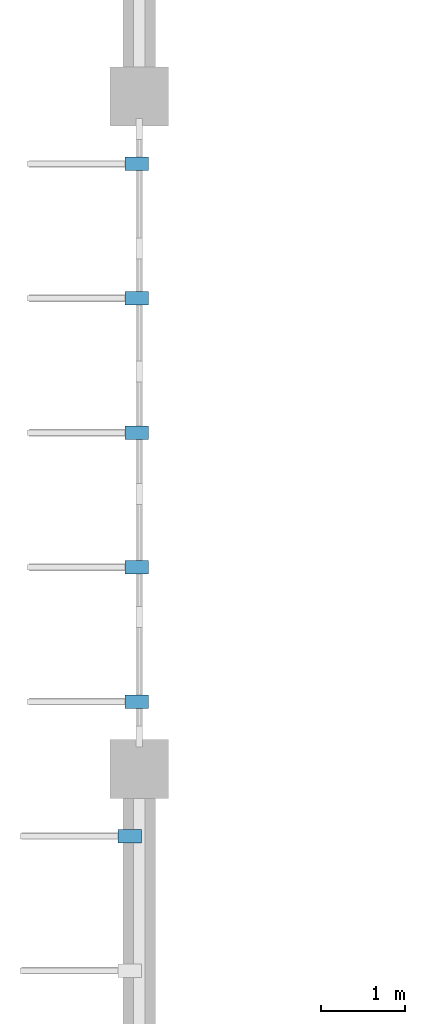
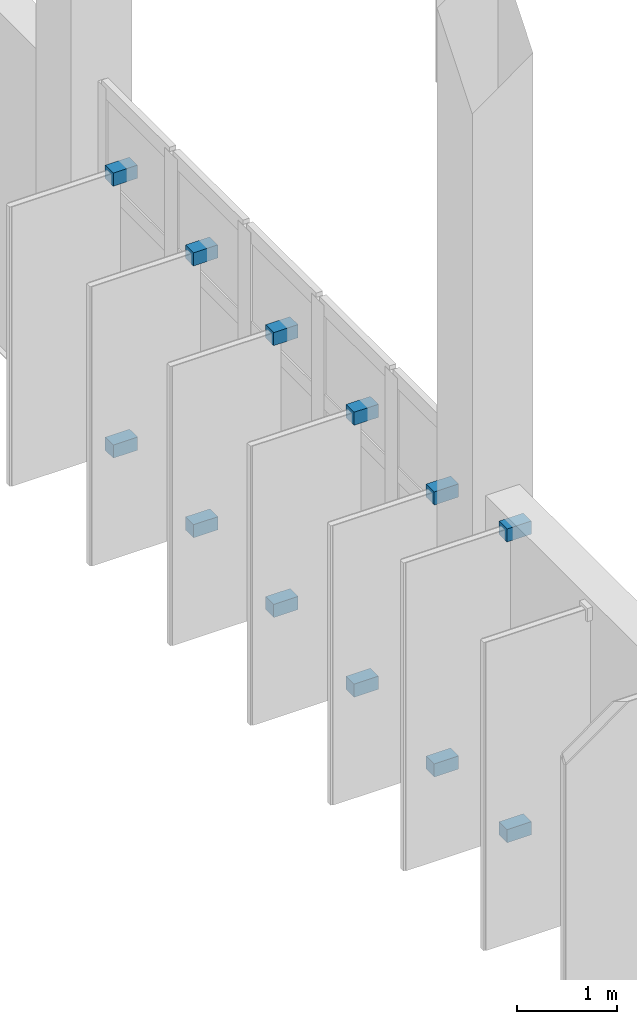
# One storey, part 56 of 66: 12 discrete accessories.
"""IFC4 building model written with IfcOpenShell, lengths in metres."""

import ifcopenshell
import ifcopenshell.guid

model = None  # the IFC model being written
_history = None  # IfcOwnerHistory: only IFC2X3 demands one
_inside = {}  # id of a spatial element -> (the spatial element, [elements in it])
_under = {}  # id of a project, library or spatial element -> (it, [spatial elements below it])
_declared = {}  # id of a project -> (the project, [libraries it declares])
_typed = {}  # id of a type object -> (the type object, [elements of that type])
_made_of = {}  # id of a material, layer set ... -> (it, [elements and type objects made of it])


def new_model(schema):
    """Start an empty IFC model of exactly this schema.

    Asked for "IFC4X3", IfcOpenShell would pick the latest addendum, in which some entities
    have other attributes; the version numbers below select the first issue.
    IFC2X3 requires an IfcOwnerHistory on every rooted entity: one is made here for all.
    """
    global model, _history
    if schema == "IFC4X3":
        model = ifcopenshell.file(schema_version=(4, 3, 0, 0))
    else:
        model = ifcopenshell.file(schema=schema)
    _inside.clear()
    _under.clear()
    _declared.clear()
    _typed.clear()
    _made_of.clear()
    _history = None
    if model.schema == "IFC2X3":
        org = make("IfcOrganization", Name="unknown")
        user = make(
            "IfcPersonAndOrganization",
            ThePerson=make("IfcPerson", FamilyName="unknown"),
            TheOrganization=org,
        )
        app = make(
            "IfcApplication",
            ApplicationDeveloper=org,
            Version="unknown",
            ApplicationFullName="unknown",
            ApplicationIdentifier="unknown",
        )
        _history = make(
            "IfcOwnerHistory",
            OwningUser=user,
            OwningApplication=app,
            ChangeAction="ADDED",
            CreationDate=0,
        )
    return model


def make(cls, **values):
    """One entity of the class cls with the attributes given. An attribute that is None is left unset."""
    return model.create_entity(
        cls, **{name: value for name, value in values.items() if value is not None}
    )


def rooted(cls, **values):
    """An entity with a GlobalId (a new one), such as an element, a storey or a relation."""
    return make(cls, GlobalId=ifcopenshell.guid.new(), OwnerHistory=_history, **values)


def si_unit(unit_type, name, prefix=None):
    """IfcSIUnit, for example si_unit("LENGTHUNIT", "METRE", prefix="MILLI")."""
    return make("IfcSIUnit", UnitType=unit_type, Prefix=prefix, Name=name)


def assignment(units):
    """IfcUnitAssignment: the units of a project."""
    return None if units is None else make("IfcUnitAssignment", Units=units)


def point(xyz):
    """IfcCartesianPoint."""
    return None if xyz is None else make("IfcCartesianPoint", Coordinates=xyz)


def direction(xyz):
    """IfcDirection."""
    return None if xyz is None else make("IfcDirection", DirectionRatios=xyz)


def frame(location, z_axis=None, x_axis=None):
    """IfcAxis2Placement3D, a coordinate frame: its origin and axes. An axis left out is left unset."""
    return make(
        "IfcAxis2Placement3D",
        Location=point(location),
        Axis=direction(z_axis),
        RefDirection=direction(x_axis),
    )


def frame_2d(location, x_axis=None):
    """IfcAxis2Placement2D, a coordinate frame in the plane: its origin and x axis."""
    return make(
        "IfcAxis2Placement2D", Location=point(location), RefDirection=direction(x_axis)
    )


def origin():
    """The frame at (0, 0, 0) with its axes left unset."""
    return frame((0.0, 0.0, 0.0))


def origin_2d():
    """The frame at (0, 0) in the plane with its x axis left unset."""
    return frame_2d((0.0, 0.0))


def place(relative_to, where):
    """IfcLocalPlacement: puts the frame where relative to a parent placement (None: the world)."""
    return make(
        "IfcLocalPlacement", PlacementRelTo=relative_to, RelativePlacement=where
    )


def context(
    kind, dimensions, precision=None, world=None, true_north=None, identifier=None
):
    """IfcGeometricRepresentationContext, for example the 3D "Model" context."""
    return make(
        "IfcGeometricRepresentationContext",
        ContextIdentifier=identifier,
        ContextType=kind,
        CoordinateSpaceDimension=dimensions,
        Precision=precision,
        WorldCoordinateSystem=world,
        TrueNorth=true_north,
    )


def subcontext(parent, identifier, kind, view, scale=None):
    """IfcGeometricRepresentationSubContext, for example "Body" below "Model"."""
    return make(
        "IfcGeometricRepresentationSubContext",
        ContextIdentifier=identifier,
        ContextType=kind,
        ParentContext=parent,
        TargetScale=scale,
        TargetView=view,
    )


def project(units=None, contexts=None):
    """IfcProject with its units and contexts."""
    return rooted(
        "IfcProject",
        Name="project",
        RepresentationContexts=contexts,
        UnitsInContext=assignment(units),
    )


def spatial(cls, under=None, at=None, **own):
    """A site, building, storey or space (cls), placed at a placement, below another one or the project."""
    s = rooted(cls, ObjectPlacement=at, **own)
    if under is not None:
        _under.setdefault(under.id(), (under, []))[1].append(s)
    return s


def profile(cls, at=None, kind="AREA", **sizes):
    """A parametric profile (cls). Its sizes go by their IFC names, for example OverallWidth=200.0."""
    return make(cls, ProfileType=kind, Position=at, **sizes)


def rectangle(**sizes):
    """IfcRectangleProfileDef."""
    return profile("IfcRectangleProfileDef", **sizes)


def extrude(swept, where, along, depth):
    """IfcExtrudedAreaSolid: the profile swept, set in the frame where, extruded along a direction by depth."""
    return make(
        "IfcExtrudedAreaSolid",
        SweptArea=swept,
        Position=where,
        ExtrudedDirection=direction(along),
        Depth=depth,
    )


def shape(context_of_items, identifier, shape_type, items):
    """IfcShapeRepresentation: the items that make up one representation, for example the "Body"."""
    return make(
        "IfcShapeRepresentation",
        ContextOfItems=context_of_items,
        RepresentationIdentifier=identifier,
        RepresentationType=shape_type,
        Items=items,
    )


def material(Name=None, Category=None):
    """IfcMaterial."""
    return make("IfcMaterial", Name=Name, Category=Category)


def made_of(thing, what):
    """Note that an element or type object is made of a material, layer set ...; save() writes the relation."""
    if what is not None:
        _made_of.setdefault(what.id(), (what, []))[1].append(thing)
    return thing


def type_object(cls, material=None, **own):
    """A type object (cls), such as IfcWallType, which elements share."""
    return made_of(rooted(cls, **own), material)


def element(
    cls,
    number,
    at=None,
    inside=None,
    cuts=None,
    type_object=None,
    material=None,
    context=None,
    identifier="Body",
    shape_type=None,
    held_by="IfcProductDefinitionShape",
    body=None,
    shapes=None,
    **own,
):
    """One element of the class cls, such as IfcWall. Its Tag is "e" and its number.

    at: its placement. inside: the storey or other place that contains it. cuts: it is an
    opening in that element (IfcRelVoidsElement). A single representation is given by context,
    identifier, shape_type and body (its items); several are given by shapes. held_by: the class
    of the entity that holds the representations. save() writes the other relations.
    """
    e = rooted(cls, Tag="e%d" % number, ObjectPlacement=at, **own)
    if body is not None:
        shapes = [shape(context, identifier, shape_type, body)]
    if shapes is not None:
        e.Representation = make(held_by, Representations=shapes)
    if inside is not None:
        _inside.setdefault(inside.id(), (inside, []))[1].append(e)
    if cuts is not None:
        rooted(
            "IfcRelVoidsElement", RelatingBuildingElement=cuts, RelatedOpeningElement=e
        )
    if type_object is not None:
        _typed.setdefault(type_object.id(), (type_object, []))[1].append(e)
    return made_of(e, material)


def aggregate(whole, parts):
    """IfcRelAggregates: a whole, such as a stair, and the parts it consists of."""
    return rooted("IfcRelAggregates", RelatingObject=whole, RelatedObjects=parts)


def save(model, path):
    """Write the relations noted so far, then the file.

    IfcRelAggregates (storeys below a building ...), IfcRelContainedInSpatialStructure (elements
    in a storey), IfcRelDefinesByType, IfcRelAssociatesMaterial and IfcRelDeclares: one each for
    every whole, place, type object, material and project.
    """
    for whole, parts in _under.values():
        aggregate(whole, parts)
    for where, things in _inside.values():
        rooted(
            "IfcRelContainedInSpatialStructure",
            RelatedElements=things,
            RelatingStructure=where,
        )
    for kind, things in _typed.values():
        rooted("IfcRelDefinesByType", RelatedObjects=things, RelatingType=kind)
    for what, things in _made_of.values():
        rooted("IfcRelAssociatesMaterial", RelatedObjects=things, RelatingMaterial=what)
    for by, libraries in _declared.values():
        rooted("IfcRelDeclares", RelatingContext=by, RelatedDefinitions=libraries)
    model.write(path)


model = new_model("IFC4")

# Units and contexts
model_context = context("Model", 3, precision=1e-05, world=origin(), true_north=direction((0.0, 1.0)))
body_context = subcontext(model_context, "Body", "Model", "MODEL_VIEW")
ifc_project = project(units=[si_unit("LENGTHUNIT", "METRE"), si_unit("AREAUNIT", "SQUARE_METRE"), si_unit("VOLUMEUNIT", "CUBIC_METRE"), si_unit("PLANEANGLEUNIT", "RADIAN"), si_unit("MASSUNIT", "GRAM", prefix="KILO")], contexts=[model_context])

# Site, building, storey
site_placement = place(None, origin())
site = spatial("IfcSite", under=ifc_project, at=site_placement, CompositionType="ELEMENT")
building_placement = place(site_placement, origin())
building = spatial("IfcBuilding", under=site, at=building_placement, Name="Drelvana Railside Aquatics Centre", CompositionType="ELEMENT")
storey_placement = place(building_placement, frame((0.0, 0.0, 10.199951171875)))
storey = spatial("IfcBuildingStorey", under=building, at=storey_placement, Name="L02", CompositionType="ELEMENT", Elevation=10.199951171875)

# Discrete accessories
ifc_material = material(Name="Stainless steel 316 facade bracket", Category="steel")
discrete_accessory_type = type_object("IfcDiscreteAccessoryType", Name="ACC-BRACKET-FIN", PredefinedType="BRACKET", material=ifc_material)
for number, where, z_axis, x_axis, name in (
    (1, (-0.114990234375, 55.199951171875, 0.1650390625), (0.0, 0.0, 1.0), (-1.0, 0.0, 0.0), "Shading fin bracket BK-0491"),
    (2, (-0.114990234375, 55.199951171875, 3.8251953125), (0.0, 0.0, 1.0), (-1.0, 0.0, 0.0), "Shading fin bracket BK-0492"),
    (3, (-0.030029296875, 56.800048828125, -0.03466796875), (0.0, 0.0, 1.0), (-1.0, 0.0, 0.0), "Shading fin bracket BK-0523"),
    (4, (-0.030029296875, 56.800048828125, 3.27490234375), (0.0, 0.0, 1.0), (-1.0, 0.0, 0.0), "Shading fin bracket BK-0524"),
    (5, (-0.030029296875, 58.39990234375, -0.03466796875), (0.0, 0.0, 1.0), (-1.0, 0.0, 0.0), "Shading fin bracket BK-0525"),
    (6, (-0.030029296875, 58.39990234375, 3.27490234375), (0.0, 0.0, 1.0), (-1.0, 0.0, 0.0), "Shading fin bracket BK-0526"),
    (7, (-0.030029296875, 60.0, -0.03466796875), (0.0, 0.0, 1.0), (-1.0, 0.0, 0.0), "Shading fin bracket BK-0527"),
    (8, (-0.030029296875, 60.0, 3.27490234375), (0.0, 0.0, 1.0), (-1.0, 0.0, 0.0), "Shading fin bracket BK-0528"),
    (9, (-0.030029296875, 61.60009765625, -0.03466796875), (0.0, 0.0, 1.0), (-1.0, 0.0, 0.0), "Shading fin bracket BK-0529"),
    (10, (-0.030029296875, 61.60009765625, 3.27490234375), (0.0, 0.0, 1.0), (-1.0, 0.0, 0.0), "Shading fin bracket BK-0530"),
    (11, (-0.030029296875, 63.199951171875, -0.03466796875), (0.0, 0.0, 1.0), (-1.0, 0.0, 0.0), "Shading fin bracket BK-0531"),
    (12, (-0.030029296875, 63.199951171875, 3.27490234375), (0.0, 0.0, 1.0), (-1.0, 0.0, 0.0), "Shading fin bracket BK-0532"),
):
    element("IfcDiscreteAccessory", number, at=place(storey_placement, frame(where, z_axis=z_axis, x_axis=x_axis)), inside=storey, type_object=discrete_accessory_type, Name=name, PredefinedType="BRACKET", context=body_context, shape_type="SweptSolid", body=[
        extrude(rectangle(XDim=0.280029296875, YDim=0.159912109375, at=origin_2d()), origin(), (0.0, 0.0, 1.0), 0.159912109375),
    ])

save(model, "model.ifc")
